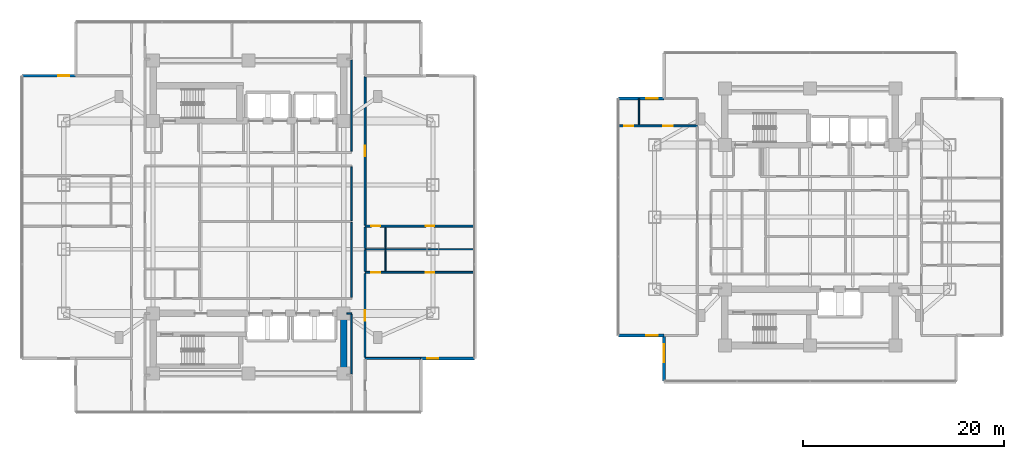
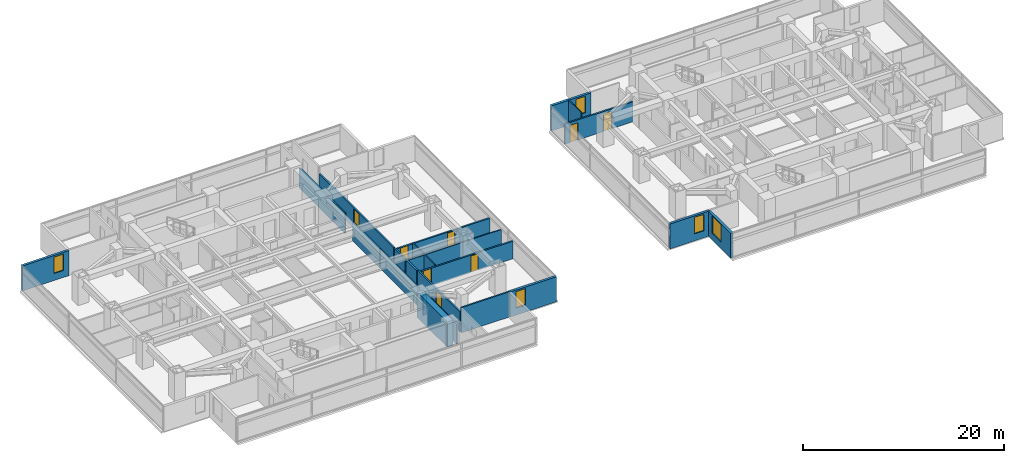
# One storey, part 16 of 27: 23 walls, 8 doors, 5 windows, 13 openings.
"""IFC4 building model written with IfcOpenShell, lengths in metres."""

from ifc_helpers import new_model, si_unit, direction, frame, frame_2d, origin, place, context, subcontext, project, spatial, rectangle, extrude, material, layer, layer_set, type_object, element, fill, save


model = new_model("IFC4")

# Units and contexts
model_context = context("Model", 3, precision=1e-05, world=origin(), true_north=direction((0.0, 1.0)))
body_context = subcontext(model_context, "Body", "Model", "MODEL_VIEW")
ifc_project = project(units=[si_unit("LENGTHUNIT", "METRE"), si_unit("AREAUNIT", "SQUARE_METRE"), si_unit("VOLUMEUNIT", "CUBIC_METRE"), si_unit("PLANEANGLEUNIT", "RADIAN"), si_unit("MASSUNIT", "GRAM", prefix="KILO")], contexts=[model_context])

# Site, building, storey
site_placement = place(None, origin())
site = spatial("IfcSite", under=ifc_project, at=site_placement, CompositionType="ELEMENT")
building_placement = place(site_placement, origin())
building = spatial("IfcBuilding", under=site, at=building_placement, Name="Mirazonda Arch Towers", CompositionType="ELEMENT")
storey_placement = place(building_placement, frame((0.0, 0.0, 75.199951171875)))
storey = spatial("IfcBuildingStorey", under=building, at=storey_placement, Name="L21", CompositionType="ELEMENT", Elevation=75.199951171875)

# Wall
ifc_material_1 = material(Name="Concrete C60/75", Category="concrete")
ifc_layer_1 = layer(ifc_material_1, 0.64990234375, Name="WALL-CORE-650")
ifc_layer_set_1 = layer_set([ifc_layer_1], Name="Concrete C60/75")
wall_type_1 = type_object("IfcWallType", Name="WALL-CORE-650", PredefinedType="SHEAR", material=ifc_layer_set_1)
wall_1_placement = place(storey_placement, frame((30.0, 12.39990234375, 0.0), z_axis=(0.0, 0.0, 1.0), x_axis=(0.0, 1.0, 0.0)))
element("IfcWall", 1, at=wall_1_placement, inside=storey, type_object=wall_type_1, Name="L21 T1S-E Core Shear Wall", PredefinedType="SHEAR", context=body_context, shape_type="SweptSolid", body=[
    extrude(rectangle(XDim=6.0, YDim=0.64990234375, at=frame_2d((3.0, 0.0))), origin(), (0.0, 0.0, 1.0), 3.06005859375),
])

# Wall, opening, window
ifc_material_2 = material(Name="Precast Concrete C40/50", Category="concrete")
ifc_layer_2 = layer(ifc_material_2, 0.280029296875, Name="WALL-EXT-WALL-280")
ifc_layer_set_2 = layer_set([ifc_layer_2], Name="Precast Concrete C40/50")
wall_type_2 = type_object("IfcWallType", Name="WALL-EXT-WALL-280", PredefinedType="SOLIDWALL", material=ifc_layer_set_2)
wall_2_placement = place(storey_placement, frame((37.699951171875, 13.9140625, 0.0), z_axis=(0.0, 0.0, 1.0), x_axis=(1.0, 0.0, 0.0)))
wall_2 = element("IfcWall", 2, at=wall_2_placement, inside=storey, type_object=wall_type_2, Name="L21 T1 Corner Notch Return Wall WL-L21-T1-CSE1", PredefinedType="SOLIDWALL", context=body_context, shape_type="SweptSolid", body=[
    extrude(rectangle(XDim=5.340087890625, YDim=0.280029296875, at=frame_2d((2.669921875, 0.0))), origin(), (0.0, 0.0, 1.0), 3.0400390625),
])
opening_1_placement = place(wall_2_placement, frame((0.64990234375, 0.0, 0.85009765625)))
opening_1 = element("IfcOpeningElement", 3, at=opening_1_placement, cuts=wall_2, Name="Opening WN-108", PredefinedType="OPENING", context=body_context, shape_type="SweptSolid", body=[
    extrude(rectangle(XDim=1.10009765625, YDim=2.0, at=frame_2d((0.550048828125, 1.0))), frame((0.0, 0.14990234375, 0.0), z_axis=(0.0, -1.0, 0.0), x_axis=(1.0, 0.0, 0.0)), (0.0, 0.0, 1.0), 0.300048828125),
])
ifc_material_3 = material(Name="Insulated Low-E Solar Glass", Category="glass")
window_type_1 = type_object("IfcWindowType", Name="WIN-NOTCH-1100x2000", PartitioningType="SINGLE_PANEL", PredefinedType="WINDOW", material=ifc_material_3)
window_1_placement = place(opening_1_placement, origin())
window_1 = element("IfcWindow", 4, at=window_1_placement, inside=storey, type_object=window_type_1, Name="L21 Punched Facade Window WN-L21-T1-CSE1", OverallHeight=2.0, OverallWidth=1.10009765625, PartitioningType="SINGLE_PANEL", PredefinedType="WINDOW", context=body_context, shape_type="SweptSolid", body=[
    extrude(rectangle(XDim=1.10009765625, YDim=2.0, at=frame_2d((0.550048828125, 1.0))), frame((0.0, 0.030029296875, 0.0), z_axis=(0.0, -1.0, 0.0), x_axis=(1.0, 0.0, 0.0)), (0.0, 0.0, 1.0), 0.06005859375),
])
fill(opening_1, window_1)

wall_3_placement = place(storey_placement, frame((3.300048828125, 42.0859375, 0.0), z_axis=(0.0, 0.0, 1.0), x_axis=(-1.0, 0.0, 0.0)))
wall_3 = element("IfcWall", 5, at=wall_3_placement, inside=storey, type_object=wall_type_2, Name="L21 T1 Corner Notch Return Wall WL-L21-T1-CNW1", PredefinedType="SOLIDWALL", context=body_context, shape_type="SweptSolid", body=[
    extrude(rectangle(XDim=5.340087890625, YDim=0.280029296875, at=frame_2d((2.669921875, 0.0))), origin(), (0.0, 0.0, 1.0), 3.0400390625),
])
opening_2_placement = place(wall_3_placement, frame((0.64990234375, 0.0, 0.85009765625)))
opening_2 = element("IfcOpeningElement", 6, at=opening_2_placement, cuts=wall_3, Name="Opening WN-108", PredefinedType="OPENING", context=body_context, shape_type="SweptSolid", body=[
    extrude(rectangle(XDim=1.10009765625, YDim=2.0, at=frame_2d((0.550048828125, 1.0))), frame((0.0, 0.14990234375, 0.0), z_axis=(0.0, -1.0, 0.0), x_axis=(1.0, 0.0, 0.0)), (0.0, 0.0, 1.0), 0.300048828125),
])
window_2_placement = place(opening_2_placement, origin())
window_2 = element("IfcWindow", 7, at=window_2_placement, inside=storey, type_object=window_type_1, Name="L21 Punched Facade Window WN-L21-T1-CNW1", OverallHeight=2.0, OverallWidth=1.10009765625, PartitioningType="SINGLE_PANEL", PredefinedType="WINDOW", context=body_context, shape_type="SweptSolid", body=[
    extrude(rectangle(XDim=1.10009765625, YDim=2.0, at=frame_2d((0.550048828125, 1.0))), frame((0.0, 0.030029296875, 0.0), z_axis=(0.0, -1.0, 0.0), x_axis=(1.0, 0.0, 0.0)), (0.0, 0.0, 1.0), 0.06005859375),
])
fill(opening_2, window_2)

wall_4_placement = place(storey_placement, frame((61.93994140625, 16.18701171875, 0.0), z_axis=(0.0, 0.0, 1.0), x_axis=(0.0, -1.0, 0.0)))
wall_4 = element("IfcWall", 8, at=wall_4_placement, inside=storey, type_object=wall_type_2, Name="L21 T2 Notched SW Corner Wall WL-L21-T2-CSW", PredefinedType="SOLIDWALL", context=body_context, shape_type="SweptSolid", body=[
    extrude(rectangle(XDim=4.546142578125, YDim=0.280029296875, at=frame_2d((2.27294921875, 0.0))), origin(), (0.0, 0.0, 1.0), 3.0400390625),
])
opening_3_placement = place(wall_4_placement, frame((0.85009765625, 0.0, 0.7900390625)))
opening_3 = element("IfcOpeningElement", 9, at=opening_3_placement, cuts=wall_4, Name="Opening WN-116", PredefinedType="OPENING", context=body_context, shape_type="SweptSolid", body=[
    extrude(rectangle(XDim=1.800048828125, YDim=2.10009765625, at=frame_2d((0.89990234375, 1.050048828125))), frame((0.0, 0.14990234375, 0.0), z_axis=(0.0, -1.0, 0.0), x_axis=(1.0, 0.0, 0.0)), (0.0, 0.0, 1.0), 0.300048828125),
])
window_type_2 = type_object("IfcWindowType", Name="WIN-HTL-1800x2100", PartitioningType="SINGLE_PANEL", PredefinedType="WINDOW", material=ifc_material_3)
window_3_placement = place(opening_3_placement, origin())
window_3 = element("IfcWindow", 10, at=window_3_placement, inside=storey, type_object=window_type_2, Name="L21 Punched Facade Window WN-L21-T2-CSW", OverallHeight=2.10009765625, OverallWidth=1.800048828125, PartitioningType="SINGLE_PANEL", PredefinedType="WINDOW", context=body_context, shape_type="SweptSolid", body=[
    extrude(rectangle(XDim=1.800048828125, YDim=2.10009765625, at=frame_2d((0.89990234375, 1.050048828125))), frame((0.0, 0.030029296875, 0.0), z_axis=(0.0, -1.0, 0.0), x_axis=(1.0, 0.0, 0.0)), (0.0, 0.0, 1.0), 0.06005859375),
])
fill(opening_3, window_3)

wall_5_placement = place(storey_placement, frame((57.39404296875, 16.18701171875, 0.0), z_axis=(0.0, 0.0, 1.0), x_axis=(1.0, 0.0, 0.0)))
wall_5 = element("IfcWall", 11, at=wall_5_placement, inside=storey, type_object=wall_type_2, Name="L21 T2 Corner Notch Return Wall WL-L21-T2-CSW2", PredefinedType="SOLIDWALL", context=body_context, shape_type="SweptSolid", body=[
    extrude(rectangle(XDim=4.5458984375, YDim=0.280029296875, at=frame_2d((2.27294921875, 0.0))), origin(), (0.0, 0.0, 1.0), 3.0400390625),
])
opening_4_placement = place(wall_5_placement, frame((2.7958984375, 0.0, 0.85009765625)))
opening_4 = element("IfcOpeningElement", 12, at=opening_4_placement, cuts=wall_5, Name="Opening WN-108", PredefinedType="OPENING", context=body_context, shape_type="SweptSolid", body=[
    extrude(rectangle(XDim=1.10009765625, YDim=2.0, at=frame_2d((0.550048828125, 1.0))), frame((0.0, 0.14990234375, 0.0), z_axis=(0.0, -1.0, 0.0), x_axis=(1.0, 0.0, 0.0)), (0.0, 0.0, 1.0), 0.300048828125),
])
window_4_placement = place(opening_4_placement, origin())
window_4 = element("IfcWindow", 13, at=window_4_placement, inside=storey, type_object=window_type_1, Name="L21 Punched Facade Window WN-L21-T2-CSW2", OverallHeight=2.0, OverallWidth=1.10009765625, PartitioningType="SINGLE_PANEL", PredefinedType="WINDOW", context=body_context, shape_type="SweptSolid", body=[
    extrude(rectangle(XDim=1.10009765625, YDim=2.0, at=frame_2d((0.550048828125, 1.0))), frame((0.0, 0.030029296875, 0.0), z_axis=(0.0, -1.0, 0.0), x_axis=(1.0, 0.0, 0.0)), (0.0, 0.0, 1.0), 0.06005859375),
])
fill(opening_4, window_4)

wall_6_placement = place(storey_placement, frame((61.93994140625, 39.81298828125, 0.0), z_axis=(0.0, 0.0, 1.0), x_axis=(-1.0, 0.0, 0.0)))
wall_6 = element("IfcWall", 14, at=wall_6_placement, inside=storey, type_object=wall_type_2, Name="L21 T2 Corner Notch Return Wall WL-L21-T2-CNW1", PredefinedType="SOLIDWALL", context=body_context, shape_type="SweptSolid", body=[
    extrude(rectangle(XDim=4.5458984375, YDim=0.280029296875, at=frame_2d((2.27294921875, 0.0))), origin(), (0.0, 0.0, 1.0), 3.0400390625),
])
opening_5_placement = place(wall_6_placement, frame((0.64990234375, 0.0, 0.85009765625)))
opening_5 = element("IfcOpeningElement", 15, at=opening_5_placement, cuts=wall_6, Name="Opening WN-108", PredefinedType="OPENING", context=body_context, shape_type="SweptSolid", body=[
    extrude(rectangle(XDim=1.10009765625, YDim=2.0, at=frame_2d((0.550048828125, 1.0))), frame((0.0, 0.14990234375, 0.0), z_axis=(0.0, -1.0, 0.0), x_axis=(1.0, 0.0, 0.0)), (0.0, 0.0, 1.0), 0.300048828125),
])
window_5_placement = place(opening_5_placement, origin())
window_5 = element("IfcWindow", 16, at=window_5_placement, inside=storey, type_object=window_type_1, Name="L21 Punched Facade Window WN-L21-T2-CNW1", OverallHeight=2.0, OverallWidth=1.10009765625, PartitioningType="SINGLE_PANEL", PredefinedType="WINDOW", context=body_context, shape_type="SweptSolid", body=[
    extrude(rectangle(XDim=1.10009765625, YDim=2.0, at=frame_2d((0.550048828125, 1.0))), frame((0.0, 0.030029296875, 0.0), z_axis=(0.0, -1.0, 0.0), x_axis=(1.0, 0.0, 0.0)), (0.0, 0.0, 1.0), 0.06005859375),
])
fill(opening_5, window_5)

# Walls
ifc_material_4 = material(Name="Fire-Rated Gypsum Stud Partition")
ifc_layer_3 = layer(ifc_material_4, 0.14990234375, Name="WALL-PART-CORR-150")
ifc_layer_set_3 = layer_set([ifc_layer_3], Name="Fire-Rated Gypsum Stud Partition")
wall_type_3 = type_object("IfcWallType", Name="WALL-PART-CORR-150", PredefinedType="PARTITIONING", material=ifc_layer_set_3)
wall_7_placement = place(storey_placement, frame((30.320068359375, 18.39990234375, 0.0), z_axis=(0.0, 0.0, 1.0), x_axis=(1.0, 0.0, 0.0)))
element("IfcWall", 17, at=wall_7_placement, inside=storey, type_object=wall_type_3, Name="L21 Interior Partition 013", PredefinedType="PARTITIONING", context=body_context, shape_type="SweptSolid", body=[
    extrude(rectangle(XDim=0.47998046875, YDim=0.14990234375, at=frame_2d((0.239990234375, 0.0))), origin(), (0.0, 0.0, 1.0), 2.43603515625),
])
wall_8_placement = place(storey_placement, frame((30.800048828125, 12.3349609375, 0.0), z_axis=(0.0, 0.0, 1.0), x_axis=(0.0, 1.0, 0.0)))
element("IfcWall", 18, at=wall_8_placement, inside=storey, type_object=wall_type_3, Name="L21 Interior Partition 093", PredefinedType="PARTITIONING", context=body_context, shape_type="SweptSolid", body=[
    extrude(rectangle(XDim=5.97998046875, YDim=0.14990234375, at=frame_2d((2.989990234375, 0.0))), origin(), (0.0, 0.0, 1.0), 2.43603515625),
])
wall_9_placement = place(storey_placement, frame((30.800048828125, 19.985107421875, 0.0), z_axis=(0.0, 0.0, 1.0), x_axis=(0.0, 1.0, 0.0)))
element("IfcWall", 19, at=wall_9_placement, inside=storey, type_object=wall_type_3, Name="L21 Interior Partition 094", PredefinedType="PARTITIONING", context=body_context, shape_type="SweptSolid", body=[
    extrude(rectangle(XDim=7.48583984375, YDim=0.14990234375, at=frame_2d((3.742919921875, 0.0))), origin(), (0.0, 0.0, 1.0), 2.279052734375),
])
wall_10_placement = place(storey_placement, frame((30.800048828125, 27.64111328125, 0.0), z_axis=(0.0, 0.0, 1.0), x_axis=(0.0, 1.0, 0.0)))
element("IfcWall", 20, at=wall_10_placement, inside=storey, type_object=wall_type_3, Name="L21 Interior Partition 095", PredefinedType="PARTITIONING", context=body_context, shape_type="SweptSolid", body=[
    extrude(rectangle(XDim=5.373779296875, YDim=0.14990234375, at=frame_2d((2.68701171875, 0.0))), origin(), (0.0, 0.0, 1.0), 2.279052734375),
])
wall_11_placement = place(storey_placement, frame((30.800048828125, 34.570068359375, 0.0), z_axis=(0.0, 0.0, 1.0), x_axis=(0.0, 1.0, 0.0)))
element("IfcWall", 21, at=wall_11_placement, inside=storey, type_object=wall_type_3, Name="L21 Interior Partition 096", PredefinedType="PARTITIONING", context=body_context, shape_type="SweptSolid", body=[
    extrude(rectangle(XDim=9.094970703125, YDim=0.14990234375, at=frame_2d((4.54736328125, 0.0))), origin(), (0.0, 0.0, 1.0), 2.43603515625),
])
ifc_material_5 = material(Name="Fire-Rated Gypsum Twin-Stud Assembly")
ifc_layer_4 = layer(ifc_material_5, 0.179931640625, Name="WALL-PART-DEMISE-180")
ifc_layer_set_4 = layer_set([ifc_layer_4], Name="Fire-Rated Gypsum Twin-Stud Assembly")
wall_type_4 = type_object("IfcWallType", Name="WALL-PART-DEMISE-180", PredefinedType="PARTITIONING", material=ifc_layer_set_4)
wall_12_placement = place(storey_placement, frame((32.139892578125, 13.9140625, 0.0), z_axis=(0.0, 0.0, 1.0), x_axis=(1.0, 0.0, 0.0)))
element("IfcWall", 22, at=wall_12_placement, inside=storey, type_object=wall_type_4, Name="L21 Interior Partition 005", PredefinedType="PARTITIONING", context=body_context, shape_type="SweptSolid", body=[
    extrude(rectangle(XDim=5.5400390625, YDim=0.179931640625, at=frame_2d((2.77001953125, 0.0))), origin(), (0.0, 0.0, 1.0), 3.06005859375),
])

# Wall, openings, doors
wall_13_placement = place(storey_placement, frame((32.139892578125, 22.5, 0.0), z_axis=(0.0, 0.0, 1.0), x_axis=(1.0, 0.0, 0.0)))
wall_13 = element("IfcWall", 23, at=wall_13_placement, inside=storey, type_object=wall_type_4, Name="L21 Interior Partition 020", PredefinedType="PARTITIONING", context=body_context, shape_type="SweptSolid", body=[
    extrude(rectangle(XDim=10.900146484375, YDim=0.179931640625, at=frame_2d((5.4501953125, 0.0))), origin(), (0.0, 0.0, 1.0), 2.125),
])
opening_6_placement = place(wall_13_placement, frame((6.02490234375, 0.0, 0.0)))
opening_6 = element("IfcOpeningElement", 24, at=opening_6_placement, cuts=wall_13, Name="Opening DR-128", PredefinedType="OPENING", context=body_context, shape_type="SweptSolid", body=[
    extrude(rectangle(XDim=0.85009765625, YDim=2.010009765625, at=frame_2d((0.425048828125, 1.0048828125))), frame((0.0, 0.099853515625, 0.0), z_axis=(0.0, -1.0, 0.0), x_axis=(1.0, 0.0, 0.0)), (0.0, 0.0, 1.0), 0.199951171875),
])
opening_7_placement = place(wall_13_placement, frame((0.590087890625, 0.0, 0.0)))
opening_7 = element("IfcOpeningElement", 25, at=opening_7_placement, cuts=wall_13, Name="Opening DR-120", PredefinedType="OPENING", context=body_context, shape_type="SweptSolid", body=[
    extrude(rectangle(XDim=0.89990234375, YDim=2.10009765625, at=frame_2d((0.449951171875, 1.050048828125))), frame((0.0, 0.099853515625, 0.0), z_axis=(0.0, -1.0, 0.0), x_axis=(1.0, 0.0, 0.0)), (0.0, 0.0, 1.0), 0.199951171875),
])
ifc_material_6 = material(Name="Architectural Brushed Steel S355", Category="steel")
door_type_1 = type_object("IfcDoorType", Name="DOOR-RISER-FD60-850", OperationType="NOTDEFINED", PredefinedType="DOOR", material=ifc_material_6)
door_1_placement = place(opening_6_placement, origin())
door_1 = element("IfcDoor", 26, at=door_1_placement, inside=storey, type_object=door_type_1, Name="L21 Suite Bedroom 1 Door", OperationType="SINGLE_SWING_RIGHT", OverallHeight=2.010009765625, OverallWidth=0.85009765625, PredefinedType="DOOR", context=body_context, shape_type="SweptSolid", body=[
    extrude(rectangle(XDim=0.85009765625, YDim=2.010009765625, at=frame_2d((0.425048828125, 1.0048828125))), frame((0.0, 0.02490234375, 0.0), z_axis=(0.0, -1.0, 0.0), x_axis=(1.0, 0.0, 0.0)), (0.0, 0.0, 1.0), 0.050048828125),
])
fill(opening_6, door_1)
door_type_2 = type_object("IfcDoorType", Name="DOOR-WC-900", OperationType="NOTDEFINED", PredefinedType="DOOR", material=ifc_material_6)
door_2_placement = place(opening_7_placement, origin())
door_2 = element("IfcDoor", 27, at=door_2_placement, inside=storey, type_object=door_type_2, Name="L21 Suite En-Suite Bathroom 1 Door", OperationType="SINGLE_SWING_LEFT", OverallHeight=2.10009765625, OverallWidth=0.89990234375, PredefinedType="DOOR", context=body_context, shape_type="SweptSolid", body=[
    extrude(rectangle(XDim=0.89990234375, YDim=2.10009765625, at=frame_2d((0.449951171875, 1.050048828125))), frame((0.0, 0.02490234375, 0.0), z_axis=(0.0, -1.0, 0.0), x_axis=(1.0, 0.0, 0.0)), (0.0, 0.0, 1.0), 0.050048828125),
])
fill(opening_7, door_2)

wall_14_placement = place(storey_placement, frame((32.139892578125, 27.10009765625, 0.0), z_axis=(0.0, 0.0, 1.0), x_axis=(1.0, 0.0, 0.0)))
wall_14 = element("IfcWall", 28, at=wall_14_placement, inside=storey, type_object=wall_type_4, Name="L21 Interior Partition 029", PredefinedType="PARTITIONING", context=body_context, shape_type="SweptSolid", body=[
    extrude(rectangle(XDim=10.900146484375, YDim=0.179931640625, at=frame_2d((5.4501953125, 0.0))), origin(), (0.0, 0.0, 1.0), 2.125),
])
opening_8_placement = place(wall_14_placement, frame((6.02490234375, 0.0, 0.0)))
opening_8 = element("IfcOpeningElement", 29, at=opening_8_placement, cuts=wall_14, Name="Opening DR-128", PredefinedType="OPENING", context=body_context, shape_type="SweptSolid", body=[
    extrude(rectangle(XDim=0.85009765625, YDim=2.010009765625, at=frame_2d((0.425048828125, 1.0048828125))), frame((0.0, 0.099853515625, 0.0), z_axis=(0.0, -1.0, 0.0), x_axis=(1.0, 0.0, 0.0)), (0.0, 0.0, 1.0), 0.199951171875),
])
opening_9_placement = place(wall_14_placement, frame((0.590087890625, 0.0, 0.0)))
opening_9 = element("IfcOpeningElement", 30, at=opening_9_placement, cuts=wall_14, Name="Opening DR-120", PredefinedType="OPENING", context=body_context, shape_type="SweptSolid", body=[
    extrude(rectangle(XDim=0.89990234375, YDim=2.10009765625, at=frame_2d((0.449951171875, 1.050048828125))), frame((0.0, 0.099853515625, 0.0), z_axis=(0.0, -1.0, 0.0), x_axis=(1.0, 0.0, 0.0)), (0.0, 0.0, 1.0), 0.199951171875),
])
door_3_placement = place(opening_8_placement, origin())
door_3 = element("IfcDoor", 31, at=door_3_placement, inside=storey, type_object=door_type_1, Name="L21 Suite Bedroom 2 Door", OperationType="SINGLE_SWING_LEFT", OverallHeight=2.010009765625, OverallWidth=0.85009765625, PredefinedType="DOOR", context=body_context, shape_type="SweptSolid", body=[
    extrude(rectangle(XDim=0.85009765625, YDim=2.010009765625, at=frame_2d((0.425048828125, 1.0048828125))), frame((0.0, 0.02490234375, 0.0), z_axis=(0.0, -1.0, 0.0), x_axis=(1.0, 0.0, 0.0)), (0.0, 0.0, 1.0), 0.050048828125),
])
fill(opening_8, door_3)
door_4_placement = place(opening_9_placement, origin())
door_4 = element("IfcDoor", 32, at=door_4_placement, inside=storey, type_object=door_type_2, Name="L21 Suite En-Suite Bathroom 2 Door", OperationType="SINGLE_SWING_RIGHT", OverallHeight=2.10009765625, OverallWidth=0.89990234375, PredefinedType="DOOR", context=body_context, shape_type="SweptSolid", body=[
    extrude(rectangle(XDim=0.89990234375, YDim=2.10009765625, at=frame_2d((0.449951171875, 1.050048828125))), frame((0.0, 0.02490234375, 0.0), z_axis=(0.0, -1.0, 0.0), x_axis=(1.0, 0.0, 0.0)), (0.0, 0.0, 1.0), 0.050048828125),
])
fill(opening_9, door_4)

wall_15_placement = place(storey_placement, frame((57.39404296875, 37.093017578125, 0.0), z_axis=(0.0, 0.0, 1.0), x_axis=(1.0, 0.0, 0.0)))
wall_15 = element("IfcWall", 33, at=wall_15_placement, inside=storey, type_object=wall_type_4, Name="L21 Interior Partition 045", PredefinedType="PARTITIONING", context=body_context, shape_type="SweptSolid", body=[
    extrude(rectangle(XDim=7.85595703125, YDim=0.179931640625, at=frame_2d((3.927978515625, 0.0))), origin(), (0.0, 0.0, 1.0), 2.43603515625),
])
opening_10_placement = place(wall_15_placement, frame((4.452880859375, 0.0, 0.0)))
opening_10 = element("IfcOpeningElement", 34, at=opening_10_placement, cuts=wall_15, Name="Opening DR-104", PredefinedType="OPENING", context=body_context, shape_type="SweptSolid", body=[
    extrude(rectangle(XDim=0.949951171875, YDim=2.14990234375, at=frame_2d((0.47509765625, 1.074951171875))), frame((0.0, 0.099853515625, 0.0), z_axis=(0.0, -1.0, 0.0), x_axis=(1.0, 0.0, 0.0)), (0.0, 0.0, 1.0), 0.199951171875),
])
opening_11_placement = place(wall_15_placement, frame((0.590087890625, 0.0, 0.0)))
opening_11 = element("IfcOpeningElement", 35, at=opening_11_placement, cuts=wall_15, Name="Opening DR-120", PredefinedType="OPENING", context=body_context, shape_type="SweptSolid", body=[
    extrude(rectangle(XDim=0.89990234375, YDim=2.10009765625, at=frame_2d((0.449951171875, 1.050048828125))), frame((0.0, 0.099853515625, 0.0), z_axis=(0.0, -1.0, 0.0), x_axis=(1.0, 0.0, 0.0)), (0.0, 0.0, 1.0), 0.199951171875),
])
door_type_3 = type_object("IfcDoorType", Name="DOOR-ROOM-950", OperationType="NOTDEFINED", PredefinedType="DOOR", material=ifc_material_6)
door_5_placement = place(opening_10_placement, origin())
door_5 = element("IfcDoor", 36, at=door_5_placement, inside=storey, type_object=door_type_3, Name="L21 Suite Bedroom 1 Door", OperationType="SINGLE_SWING_RIGHT", OverallHeight=2.14990234375, OverallWidth=0.949951171875, PredefinedType="DOOR", context=body_context, shape_type="SweptSolid", body=[
    extrude(rectangle(XDim=0.949951171875, YDim=2.14990234375, at=frame_2d((0.47509765625, 1.074951171875))), frame((0.0, 0.02490234375, 0.0), z_axis=(0.0, -1.0, 0.0), x_axis=(1.0, 0.0, 0.0)), (0.0, 0.0, 1.0), 0.050048828125),
])
fill(opening_10, door_5)
door_6_placement = place(opening_11_placement, origin())
door_6 = element("IfcDoor", 37, at=door_6_placement, inside=storey, type_object=door_type_2, Name="L21 Suite En-Suite Bathroom 1 Door", OperationType="SINGLE_SWING_LEFT", OverallHeight=2.10009765625, OverallWidth=0.89990234375, PredefinedType="DOOR", context=body_context, shape_type="SweptSolid", body=[
    extrude(rectangle(XDim=0.89990234375, YDim=2.10009765625, at=frame_2d((0.449951171875, 1.050048828125))), frame((0.0, 0.02490234375, 0.0), z_axis=(0.0, -1.0, 0.0), x_axis=(1.0, 0.0, 0.0)), (0.0, 0.0, 1.0), 0.050048828125),
])
fill(opening_11, door_6)

# Wall, opening, door
wall_16_placement = place(storey_placement, frame((32.139892578125, 14.013916015625, 0.0), z_axis=(0.0, 0.0, 1.0), x_axis=(0.0, 1.0, 0.0)))
wall_16 = element("IfcWall", 38, at=wall_16_placement, inside=storey, type_object=wall_type_4, Name="L21 Interior Partition 099", PredefinedType="PARTITIONING", context=body_context, shape_type="SweptSolid", body=[
    extrude(rectangle(XDim=8.385986328125, YDim=0.179931640625, at=frame_2d((4.19287109375, 0.0))), origin(), (0.0, 0.0, 1.0), 2.43603515625),
])
opening_12_placement = place(wall_16_placement, frame((3.66796875, 0.0, 0.0)))
opening_12 = element("IfcOpeningElement", 39, at=opening_12_placement, cuts=wall_16, Name="Opening DR-121", PredefinedType="OPENING", context=body_context, shape_type="SweptSolid", body=[
    extrude(rectangle(XDim=1.050048828125, YDim=2.199951171875, at=frame_2d((0.52490234375, 1.10009765625))), frame((0.0, 0.099853515625, 0.0), z_axis=(0.0, -1.0, 0.0), x_axis=(1.0, 0.0, 0.0)), (0.0, 0.0, 1.0), 0.199951171875),
])
door_type_4 = type_object("IfcDoorType", Name="DOOR-SUITE-FD60-1050", OperationType="NOTDEFINED", PredefinedType="DOOR", material=ifc_material_6)
door_7_placement = place(opening_12_placement, origin())
door_7 = element("IfcDoor", 40, at=door_7_placement, inside=storey, type_object=door_type_4, Name="L21 Presidential Hotel Suite 1 Door", OperationType="SINGLE_SWING_LEFT", OverallHeight=2.199951171875, OverallWidth=1.050048828125, PredefinedType="DOOR", context=body_context, shape_type="SweptSolid", body=[
    extrude(rectangle(XDim=1.050048828125, YDim=2.199951171875, at=frame_2d((0.52490234375, 1.10009765625))), frame((0.0, 0.02490234375, 0.0), z_axis=(0.0, -1.0, 0.0), x_axis=(1.0, 0.0, 0.0)), (0.0, 0.0, 1.0), 0.050048828125),
])
fill(opening_12, door_7)

# Walls
for number, where, z_axis, x_axis, name in (
    (41, (32.139892578125, 22.60009765625, 0.0), (0.0, 0.0, 1.0), (0.0, 1.0, 0.0), "L21 Interior Partition 100"),
    (42, (32.139892578125, 24.87255859375, 0.0), (0.0, 0.0, 1.0), (0.0, 1.0, 0.0), "L21 Interior Partition 101"),
):
    element("IfcWall", number, at=place(storey_placement, frame(where, z_axis=z_axis, x_axis=x_axis)), inside=storey, type_object=wall_type_4, Name=name, PredefinedType="PARTITIONING", context=body_context, shape_type="SweptSolid", body=[
        extrude(rectangle(XDim=2.12744140625, YDim=0.179931640625, at=frame_2d((1.063720703125, 0.0))), origin(), (0.0, 0.0, 1.0), 2.279052734375),
    ])

# Wall, opening, door
wall_17_placement = place(storey_placement, frame((32.139892578125, 27.199951171875, 0.0), z_axis=(0.0, 0.0, 1.0), x_axis=(0.0, 1.0, 0.0)))
wall_17 = element("IfcWall", 43, at=wall_17_placement, inside=storey, type_object=wall_type_4, Name="L21 Interior Partition 102", PredefinedType="PARTITIONING", context=body_context, shape_type="SweptSolid", body=[
    extrude(rectangle(XDim=14.7861328125, YDim=0.179931640625, at=frame_2d((7.39306640625, 0.0))), origin(), (0.0, 0.0, 1.0), 2.279052734375),
])
opening_13_placement = place(wall_17_placement, frame((6.867919921875, 0.0, 0.0)))
opening_13 = element("IfcOpeningElement", 44, at=opening_13_placement, cuts=wall_17, Name="Opening DR-121", PredefinedType="OPENING", context=body_context, shape_type="SweptSolid", body=[
    extrude(rectangle(XDim=1.050048828125, YDim=2.199951171875, at=frame_2d((0.52490234375, 1.10009765625))), frame((0.0, 0.099853515625, 0.0), z_axis=(0.0, -1.0, 0.0), x_axis=(1.0, 0.0, 0.0)), (0.0, 0.0, 1.0), 0.199951171875),
])
door_8_placement = place(opening_13_placement, origin())
door_8 = element("IfcDoor", 45, at=door_8_placement, inside=storey, type_object=door_type_4, Name="L21 Presidential Hotel Suite 2 Door", OperationType="SINGLE_SWING_RIGHT", OverallHeight=2.199951171875, OverallWidth=1.050048828125, PredefinedType="DOOR", context=body_context, shape_type="SweptSolid", body=[
    extrude(rectangle(XDim=1.050048828125, YDim=2.199951171875, at=frame_2d((0.52490234375, 1.10009765625))), frame((0.0, 0.02490234375, 0.0), z_axis=(0.0, -1.0, 0.0), x_axis=(1.0, 0.0, 0.0)), (0.0, 0.0, 1.0), 0.050048828125),
])
fill(opening_13, door_8)

# Walls
ifc_material_7 = material(Name="Acoustic Fire-Rated Gypsum Partition")
ifc_layer_5 = layer(ifc_material_7, 0.125, Name="WALL-PART-UNIT-125")
ifc_layer_set_5 = layer_set([ifc_layer_5], Name="Acoustic Fire-Rated Gypsum Partition")
wall_type_5 = type_object("IfcWallType", Name="WALL-PART-UNIT-125", PredefinedType="PARTITIONING", material=ifc_layer_set_5)
wall_18_placement = place(storey_placement, frame((32.139892578125, 24.800048828125, 0.0), z_axis=(0.0, 0.0, 1.0), x_axis=(1.0, 0.0, 0.0)))
element("IfcWall", 46, at=wall_18_placement, inside=storey, type_object=wall_type_5, Name="L21 Interior Partition 024", PredefinedType="PARTITIONING", context=body_context, shape_type="SweptSolid", body=[
    extrude(rectangle(XDim=10.900146484375, YDim=0.125, at=frame_2d((5.4501953125, 0.0))), origin(), (0.0, 0.0, 1.0), 2.125),
])
for number, where, z_axis, x_axis, name in (
    (47, (34.179931640625, 22.60009765625, 0.0), (0.0, 0.0, 1.0), (0.0, 1.0, 0.0), "L21 Interior Partition 104"),
    (48, (34.179931640625, 24.87255859375, 0.0), (0.0, 0.0, 1.0), (0.0, 1.0, 0.0), "L21 Interior Partition 105"),
):
    element("IfcWall", number, at=place(storey_placement, frame(where, z_axis=z_axis, x_axis=x_axis)), inside=storey, type_object=wall_type_5, Name=name, PredefinedType="PARTITIONING", context=body_context, shape_type="SweptSolid", body=[
        extrude(rectangle(XDim=2.12744140625, YDim=0.125, at=frame_2d((1.063720703125, 0.0))), origin(), (0.0, 0.0, 1.0), 2.279052734375),
    ])
wall_19_placement = place(storey_placement, frame((59.43408203125, 37.193115234375, 0.0), z_axis=(0.0, 0.0, 1.0), x_axis=(0.0, 1.0, 0.0)))
element("IfcWall", 49, at=wall_19_placement, inside=storey, type_object=wall_type_5, Name="L21 Interior Partition 106", PredefinedType="PARTITIONING", context=body_context, shape_type="SweptSolid", body=[
    extrude(rectangle(XDim=2.619873046875, YDim=0.125, at=frame_2d((1.31005859375, 0.0))), origin(), (0.0, 0.0, 1.0), 3.06005859375),
])

save(model, "model.ifc")
